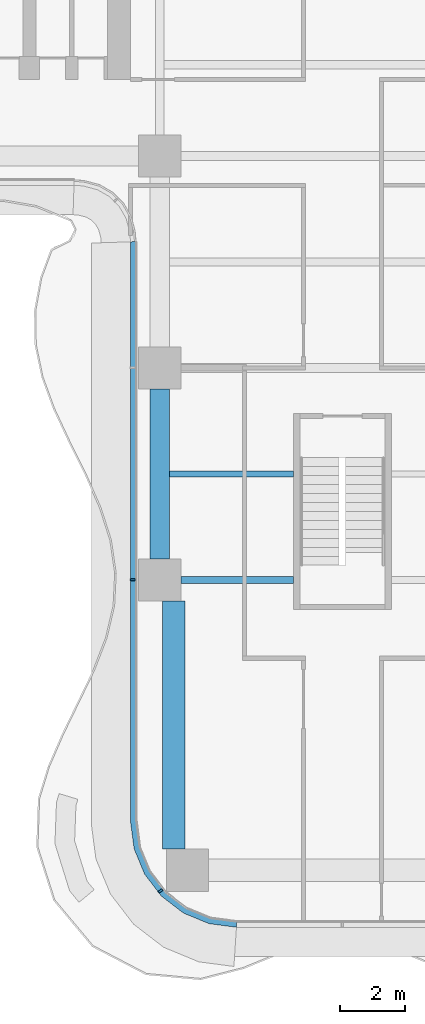
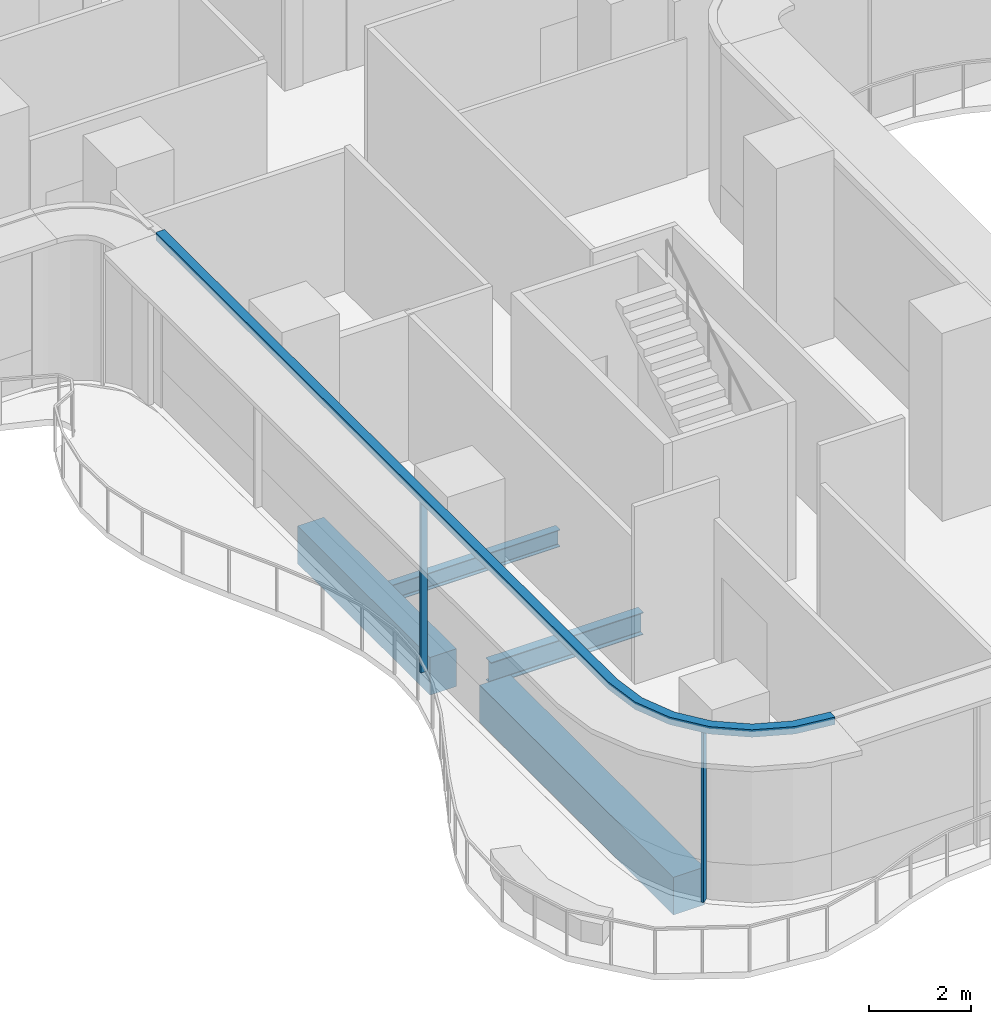
# One storey, part 2 of 21: 4 beams, 3 members, 1 element without a shape of its own.
"""IFC4 building model written with IfcOpenShell, lengths in metres."""

from ifc_helpers import new_model, si_unit, direction, frame, origin, origin_2d, place, context, subcontext, project, spatial, polyline, rectangle, i_section, outline, extrude, source, transform, mapped, material, layer, layer_set, material_profile, profile_set, type_object, element, aggregate, save


model = new_model("IFC4")

# Units and contexts
model_context = context("Model", 3, precision=1e-05, world=origin(), true_north=direction((0.0, 1.0)))
body_context = subcontext(model_context, "Body", "Model", "MODEL_VIEW")
ifc_project = project(units=[si_unit("LENGTHUNIT", "METRE"), si_unit("AREAUNIT", "SQUARE_METRE"), si_unit("VOLUMEUNIT", "CUBIC_METRE"), si_unit("PLANEANGLEUNIT", "RADIAN"), si_unit("MASSUNIT", "GRAM", prefix="KILO")], contexts=[model_context])

# Site, building, storey
site_placement = place(None, origin())
site = spatial("IfcSite", under=ifc_project, at=site_placement, CompositionType="ELEMENT")
building_placement = place(site_placement, origin())
building = spatial("IfcBuilding", under=site, at=building_placement, Name="Trellis Farm Tower", CompositionType="ELEMENT")
storey_placement = place(building_placement, frame((0.0, 0.0, 115.5)))
storey = spatial("IfcBuildingStorey", under=building, at=storey_placement, Name="L24", CompositionType="ELEMENT", Elevation=115.5)

# Beams
ifc_material_1 = material(Name="Steel S355", Category="steel")
ifc_material_profile_1 = material_profile(ifc_material_1, i_section(OverallWidth=0.177978515625, OverallDepth=0.406494140625, WebThickness=0.0078125, FlangeThickness=0.0126953125, FilletRadius=0.01025390625, at=origin_2d()), Name="UB 406x178x60")
ifc_profile_set_1 = profile_set([ifc_material_profile_1], Name="Steel S355")
beam_type_1 = type_object("IfcBeamType", Name="UB 406x178x60 joist", PredefinedType="JOIST", material=ifc_profile_set_1)
shared_shape_1 = source(origin(), body_context, "Body", "SweptSolid", [
    extrude(i_section(OverallWidth=0.177978515625, OverallDepth=0.406494140625, WebThickness=0.0078125, FlangeThickness=0.0126953125, FilletRadius=0.01025390625, at=origin_2d()), origin(), (0.0, 0.0, 1.0), 3.800048828125),
])
beam_1_placement = place(storey_placement, frame((-5.300048828125, -15.35009765625, -0.453125), z_axis=(1.0, 0.0, 0.0), x_axis=(0.0, 1.0, 0.0)))
element("IfcBeam", 1, at=beam_1_placement, inside=storey, type_object=beam_type_1, Name="Floor beam", PredefinedType="JOIST", context=body_context, shape_type="MappedRepresentation", body=[
    mapped(shared_shape_1, transform((0.0, 0.0, 0.0))),
])
ifc_material_profile_2 = material_profile(ifc_material_1, i_section(OverallWidth=0.209228515625, OverallDepth=0.533203125, WebThickness=0.010009765625, FlangeThickness=0.015625, FilletRadius=0.0126953125, at=origin_2d()), Name="UB 533x210x92")
ifc_profile_set_2 = profile_set([ifc_material_profile_2], Name="Steel S355")
beam_type_2 = type_object("IfcBeamType", Name="UB 533x210x92", PredefinedType="BEAM", material=ifc_profile_set_2)
shared_shape_2 = source(origin(), body_context, "Body", "SweptSolid", [
    extrude(i_section(OverallWidth=0.209228515625, OverallDepth=0.533203125, WebThickness=0.010009765625, FlangeThickness=0.015625, FilletRadius=0.0126953125, at=origin_2d()), origin(), (0.0, 0.0, 1.0), 3.449951171875),
])
beam_2_placement = place(storey_placement, frame((-4.949951171875, -18.60009765625, -0.5166015625), z_axis=(1.0, 0.0, 0.0), x_axis=(0.0, 1.0, 0.0)))
element("IfcBeam", 2, at=beam_2_placement, inside=storey, type_object=beam_type_2, Name="Girder", PredefinedType="BEAM", context=body_context, shape_type="MappedRepresentation", body=[
    mapped(shared_shape_2, transform((0.0, 0.0, 0.0))),
])
ifc_material_2 = material(Name="Concrete C60/75", Category="concrete")
ifc_material_profile_3 = material_profile(ifc_material_2, rectangle(XDim=0.60009765625, YDim=0.89990234375, at=origin_2d()), Name="RC spandrel beam 600x900 C60/75")
ifc_profile_set_3 = profile_set([ifc_material_profile_3], Name="Concrete C60/75")
beam_type_3 = type_object("IfcBeamType", Name="RC spandrel beam 600x900 C60/75", PredefinedType="SPANDREL", material=ifc_profile_set_3)
shared_shape_3 = source(origin(), body_context, "Body", "SweptSolid", [
    extrude(rectangle(XDim=0.60009765625, YDim=0.89990234375, at=origin_2d()), origin(), (0.0, 0.0, 1.0), 5.199951171875),
])
beam_3_placement = place(storey_placement, frame((-5.60009765625, -17.949951171875, -0.699951171875), z_axis=(0.0, 1.0, 0.0), x_axis=(-1.0, 0.0, 0.0)))
element("IfcBeam", 3, at=beam_3_placement, inside=storey, type_object=beam_type_3, Name="Girder", PredefinedType="SPANDREL", context=body_context, shape_type="MappedRepresentation", body=[
    mapped(shared_shape_3, transform((0.0, 0.0, 0.0))),
])
ifc_material_profile_4 = material_profile(ifc_material_2, rectangle(XDim=0.699951171875, YDim=0.89990234375, at=origin_2d()), Name="RC spandrel beam 700x900 C60/75")
ifc_profile_set_4 = profile_set([ifc_material_profile_4], Name="Concrete C60/75")
beam_type_4 = type_object("IfcBeamType", Name="RC spandrel beam 700x900 C60/75", PredefinedType="SPANDREL", material=ifc_profile_set_4)
shared_shape_4 = source(origin(), body_context, "Body", "SweptSolid", [
    extrude(rectangle(XDim=0.699951171875, YDim=0.89990234375, at=origin_2d()), origin(), (0.0, 0.0, 1.0), 7.60009765625),
])
beam_4_placement = place(storey_placement, frame((-5.175048828125, -26.85009765625, -0.699951171875), z_axis=(0.0, 1.0, 0.0), x_axis=(-1.0, 0.0, 0.0)))
element("IfcBeam", 4, at=beam_4_placement, inside=storey, type_object=beam_type_4, Name="Girder", PredefinedType="SPANDREL", context=body_context, shape_type="MappedRepresentation", body=[
    mapped(shared_shape_4, transform((0.0, 0.0, 0.0))),
])

# Curtain wall, members
ifc_material_3 = material(Name="Aluminium and glass curtain wall", Category="aluminium")
ifc_layer_1 = layer(ifc_material_3, 0.18994140625)
ifc_layer_set_1 = layer_set([ifc_layer_1], Name="RIBBON CURTAIN WALL CW1")
curtain_wall_type = type_object("IfcCurtainWallType", Name="RIBBON CURTAIN WALL CW1", PredefinedType="NOTDEFINED", material=ifc_layer_set_1)
curtain_wall_placement = place(storey_placement, origin())
curtain_wall = element("IfcCurtainWall", 5, at=curtain_wall_placement, inside=storey, type_object=curtain_wall_type, Name="CW1 002", PredefinedType="NOTDEFINED")
ifc_material_4 = material(Name="Aluminium extrusion 6063-T6", Category="aluminium")
ifc_material_profile_5 = material_profile(ifc_material_4, rectangle(XDim=0.06005859375, YDim=0.14990234375, at=origin_2d()), Name="MULLION 60x150")
ifc_profile_set_5 = profile_set([ifc_material_profile_5], Name="Aluminium extrusion 6063-T6")
member_type_1 = type_object("IfcMemberType", Name="CW1 MULLION 60x150", PredefinedType="MULLION", material=ifc_profile_set_5)
shared_shape_5 = source(origin(), body_context, "Body", "SweptSolid", [
    extrude(rectangle(XDim=0.06005859375, YDim=0.14990234375, at=origin_2d()), origin(), (0.0, 0.0, 1.0), 4.070068359375),
])
member_1_placement = place(storey_placement, frame((-6.425048828125, -18.60009765625, 0.0), z_axis=(0.0, 0.0, 1.0), x_axis=(0.0, -1.0, 0.0)))
member_1 = element("IfcMember", 6, at=member_1_placement, type_object=member_type_1, Name="MU1 002-02", PredefinedType="MULLION", context=body_context, shape_type="MappedRepresentation", body=[
    mapped(shared_shape_5, transform((0.0, 0.0, 0.0))),
])
member_2_placement = place(storey_placement, frame((-5.578369140625, -28.135498046875, 0.0), z_axis=(0.0, 0.0, 1.0), x_axis=(0.608761429009, -0.793353340291, 0.0)))
member_2 = element("IfcMember", 7, at=member_2_placement, type_object=member_type_1, Name="MU1 002-03", PredefinedType="MULLION", context=body_context, shape_type="MappedRepresentation", body=[
    mapped(shared_shape_5, transform((0.0, 0.0, 0.0))),
])
ifc_layer_2 = layer(ifc_material_4, 0.199951171875)
ifc_layer_set_2 = layer_set([ifc_layer_2], Name="Aluminium extrusion 6063-T6")
member_type_2 = type_object("IfcMemberType", Name="CW1 TRANSOM 200x180", PredefinedType="USERDEFINED", material=ifc_layer_set_2)
shared_shape_6 = source(origin(), body_context, "Body", "SweptSolid", [
    extrude(outline(polyline([(-6.5, -8.2314453125), (-6.5, -26.0), (-6.38916015625, -26.841064453125), (-6.064697265625, -27.625), (-5.548095703125, -28.298095703125), (-4.875, -28.814697265625), (-4.091064453125, -29.13916015625), (-3.25, -29.25), (-3.23681640625, -29.050048828125), (-4.0390625, -28.9443359375), (-4.774169921875, -28.639892578125), (-5.405517578125, -28.155517578125), (-5.889892578125, -27.524169921875), (-6.1943359375, -26.7890625), (-6.300048828125, -25.98681640625), (-6.300048828125, -8.224853515625), (-6.5, -8.2314453125)])), origin(), (0.0, 0.0, 1.0), 0.179931640625),
])
member_3_placement = place(storey_placement, frame((0.0, 0.0, 4.070068359375)))
member_3 = element("IfcMember", 8, at=member_3_placement, type_object=member_type_2, Name="TR1 002", ObjectType="TRANSOM", PredefinedType="USERDEFINED", context=body_context, shape_type="MappedRepresentation", body=[
    mapped(shared_shape_6, transform((0.0, 0.0, 0.0))),
])
aggregate(curtain_wall, [member_1, member_2, member_3])

save(model, "model.ifc")
